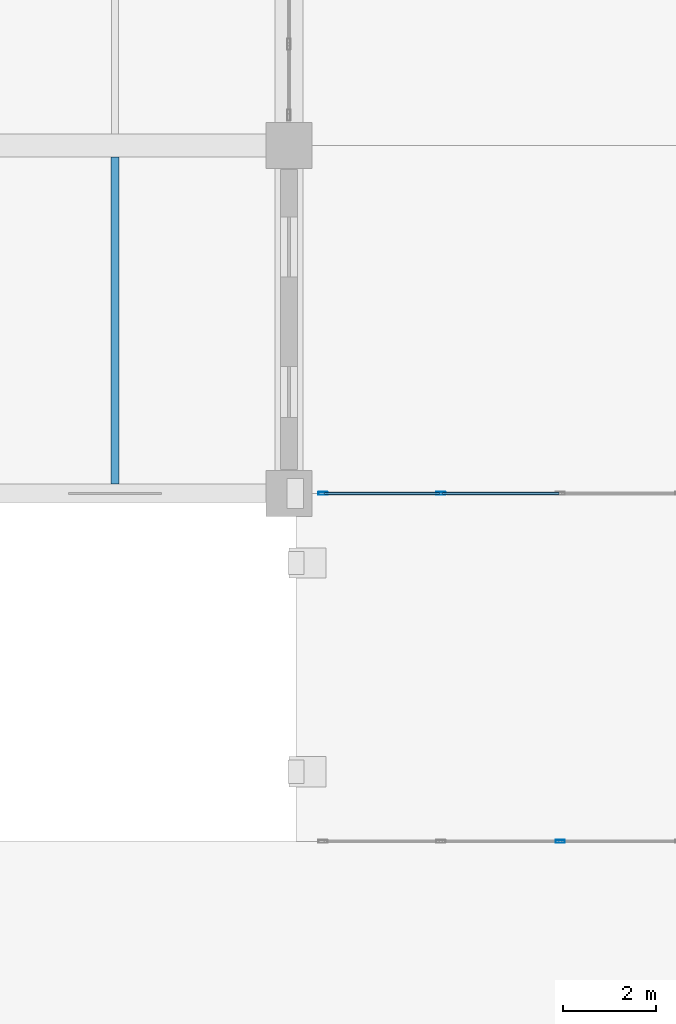
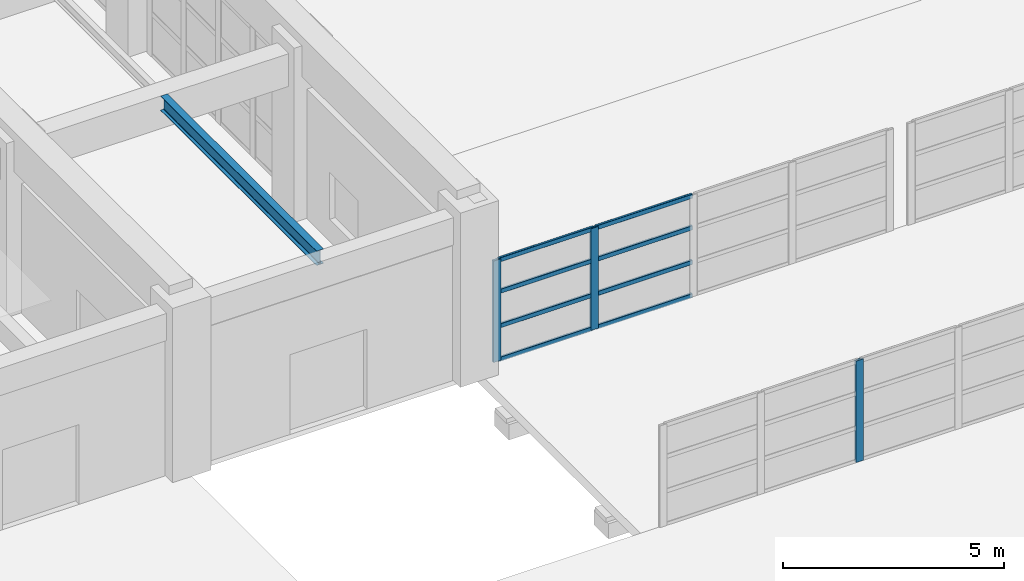
# One storey, part 25 of 122: 11 members, 1 beam, 2 elements without a shape of their own.
"""IFC4 building model written with IfcOpenShell, lengths in metres."""

from ifc_helpers import new_model, si_unit, direction, frame, origin, origin_2d, place, context, subcontext, project, spatial, hollow_rectangle, i_section, extrude, material, material_profile, profile_set, type_object, element, aggregate, save


model = new_model("IFC4")

# Units and contexts
model_context = context("Model", 3, precision=1e-05, world=origin(), true_north=direction((0.0, 1.0)))
body_context = subcontext(model_context, "Body", "Model", "MODEL_VIEW")
ifc_project = project(units=[si_unit("LENGTHUNIT", "METRE"), si_unit("AREAUNIT", "SQUARE_METRE"), si_unit("VOLUMEUNIT", "CUBIC_METRE"), si_unit("PLANEANGLEUNIT", "RADIAN"), si_unit("MASSUNIT", "GRAM", prefix="KILO")], contexts=[model_context])

# Site, building, storey
site_placement = place(None, origin())
site = spatial("IfcSite", under=ifc_project, at=site_placement, CompositionType="ELEMENT")
building_placement = place(site_placement, origin())
building = spatial("IfcBuilding", under=site, at=building_placement, Name="Qasida Concert Hall", CompositionType="ELEMENT")
storey_placement = place(building_placement, origin())
storey = spatial("IfcBuildingStorey", under=building, at=storey_placement, Name="L00", CompositionType="ELEMENT", Elevation=0.0)

# Beam
ifc_material_1 = material(Name="Steel S355J2", Category="steel")
ifc_material_profile_1 = material_profile(ifc_material_1, i_section(OverallWidth=0.179931640625, OverallDepth=0.39990234375, WebThickness=0.008544921875, FlangeThickness=0.013427734375, FilletRadius=0.02099609375, at=origin_2d()), Name="IPE 400")
ifc_profile_set_1 = profile_set([ifc_material_profile_1], Name="Steel S355J2")
beam_type = type_object("IfcBeamType", Name="BM-J3", PredefinedType="JOIST", material=ifc_profile_set_1)
beam_placement = place(storey_placement, frame((101.25, 22.699951171875, 4.300048828125), z_axis=(0.0, 1.0, 0.0), x_axis=(-1.0, 0.0, 0.0)))
element("IfcBeam", 1, at=beam_placement, inside=storey, type_object=beam_type, Name="L00 secondary joist 0458", PredefinedType="JOIST", context=body_context, shape_type="SweptSolid", body=[
    extrude(i_section(OverallWidth=0.179931640625, OverallDepth=0.39990234375, WebThickness=0.008544921875, FlangeThickness=0.013427734375, FilletRadius=0.02099609375, at=origin_2d()), origin(), (0.0, 0.0, 1.0), 7.050048828125),
])

# Curtain wall, member
ifc_material_2 = material(Name="Architectural bronze-anodized aluminium and low-E glass", Category="aluminium")
curtain_wall_type = type_object("IfcCurtainWallType", Name="CW-07", PredefinedType="NOTDEFINED", material=ifc_material_2)
curtain_wall_1_placement = place(storey_placement, origin())
curtain_wall_1 = element("IfcCurtainWall", 2, at=curtain_wall_1_placement, inside=storey, type_object=curtain_wall_type, Name="L00 link bridge glazing 0230", PredefinedType="NOTDEFINED")
ifc_material_3 = material(Name="Architectural bronze-anodized aluminium EN AW-6063", Category="aluminium")
ifc_material_profile_2 = material_profile(ifc_material_3, hollow_rectangle(XDim=0.06494140625, YDim=0.199951171875, WallThickness=0.0048828125, InnerFilletRadius=0.0048828125, OuterFilletRadius=0.010009765625, at=origin_2d()), Name="CWM 200x65x5")
ifc_profile_set_2 = profile_set([ifc_material_profile_2], Name="Architectural bronze-anodized aluminium EN AW-6063")
member_type_1 = type_object("IfcMemberType", Name="MB-CWM-2", PredefinedType="MULLION", material=ifc_profile_set_2)
member_1_placement = place(storey_placement, frame((110.85009765625, 15.0, 0.0), z_axis=(0.0, 0.0, 1.0), x_axis=(0.0, 1.0, 0.0)))
member_1 = element("IfcMember", 3, at=member_1_placement, type_object=member_type_1, Name="CW-07 mullion 3", PredefinedType="MULLION", context=body_context, shape_type="SweptSolid", body=[
    extrude(hollow_rectangle(XDim=0.06494140625, YDim=0.199951171875, WallThickness=0.0048828125, InnerFilletRadius=0.0048828125, OuterFilletRadius=0.010009765625, at=origin_2d()), origin(), (0.0, 0.0, 1.0), 2.800048828125),
])
aggregate(curtain_wall_1, [member_1])

# Curtain wall, members
curtain_wall_2_placement = place(storey_placement, origin())
curtain_wall_2 = element("IfcCurtainWall", 4, at=curtain_wall_2_placement, inside=storey, type_object=curtain_wall_type, Name="L00 link bridge glazing 0231", PredefinedType="NOTDEFINED")
member_2_placement = place(storey_placement, frame((105.732421875, 22.5, 0.0), z_axis=(0.0, 0.0, 1.0), x_axis=(0.0, 1.0, 0.0)))
member_2 = element("IfcMember", 5, at=member_2_placement, type_object=member_type_1, Name="CW-07 mullion 1", PredefinedType="MULLION", context=body_context, shape_type="SweptSolid", body=[
    extrude(hollow_rectangle(XDim=0.06494140625, YDim=0.199951171875, WallThickness=0.0048828125, InnerFilletRadius=0.0048828125, OuterFilletRadius=0.010009765625, at=origin_2d()), origin(), (0.0, 0.0, 1.0), 2.800048828125),
])
member_3_placement = place(storey_placement, frame((108.27490234375, 22.5, 0.0), z_axis=(0.0, 0.0, 1.0), x_axis=(0.0, 1.0, 0.0)))
member_3 = element("IfcMember", 6, at=member_3_placement, type_object=member_type_1, Name="CW-07 mullion 2", PredefinedType="MULLION", context=body_context, shape_type="SweptSolid", body=[
    extrude(hollow_rectangle(XDim=0.06494140625, YDim=0.199951171875, WallThickness=0.0048828125, InnerFilletRadius=0.0048828125, OuterFilletRadius=0.010009765625, at=origin_2d()), origin(), (0.0, 0.0, 1.0), 2.800048828125),
])
ifc_material_profile_3 = material_profile(ifc_material_3, hollow_rectangle(XDim=0.06005859375, YDim=0.1201171875, WallThickness=0.00390625, InnerFilletRadius=0.00390625, OuterFilletRadius=0.008056640625, at=origin_2d()), Name="CWT 120x60x4")
ifc_profile_set_3 = profile_set([ifc_material_profile_3], Name="Architectural bronze-anodized aluminium EN AW-6063")
member_type_2 = type_object("IfcMemberType", Name="MB-CWT-2", PredefinedType="USERDEFINED", material=ifc_profile_set_3)
member_4_placement = place(storey_placement, frame((105.764892578125, 22.5, 0.030029296875), z_axis=(1.0, 0.0, 0.0), x_axis=(0.0, 1.0, 0.0)))
member_4 = element("IfcMember", 7, at=member_4_placement, type_object=member_type_2, Name="CW-07 transom 1.1", ObjectType="TRANSOM", PredefinedType="USERDEFINED", context=body_context, shape_type="SweptSolid", body=[
    extrude(hollow_rectangle(XDim=0.06005859375, YDim=0.1201171875, WallThickness=0.00390625, InnerFilletRadius=0.00390625, OuterFilletRadius=0.008056640625, at=origin_2d()), origin(), (0.0, 0.0, 1.0), 2.4775390625),
])
member_5_placement = place(storey_placement, frame((105.764892578125, 22.5, 0.949951171875), z_axis=(1.0, 0.0, 0.0), x_axis=(0.0, 1.0, 0.0)))
member_5 = element("IfcMember", 8, at=member_5_placement, type_object=member_type_2, Name="CW-07 transom 1.2", ObjectType="TRANSOM", PredefinedType="USERDEFINED", context=body_context, shape_type="SweptSolid", body=[
    extrude(hollow_rectangle(XDim=0.06005859375, YDim=0.1201171875, WallThickness=0.00390625, InnerFilletRadius=0.00390625, OuterFilletRadius=0.008056640625, at=origin_2d()), origin(), (0.0, 0.0, 1.0), 2.4775390625),
])
member_6_placement = place(storey_placement, frame((105.764892578125, 22.5, 1.89990234375), z_axis=(1.0, 0.0, 0.0), x_axis=(0.0, 1.0, 0.0)))
member_6 = element("IfcMember", 9, at=member_6_placement, type_object=member_type_2, Name="CW-07 transom 1.3", ObjectType="TRANSOM", PredefinedType="USERDEFINED", context=body_context, shape_type="SweptSolid", body=[
    extrude(hollow_rectangle(XDim=0.06005859375, YDim=0.1201171875, WallThickness=0.00390625, InnerFilletRadius=0.00390625, OuterFilletRadius=0.008056640625, at=origin_2d()), origin(), (0.0, 0.0, 1.0), 2.4775390625),
])
member_7_placement = place(storey_placement, frame((105.764892578125, 22.5, 2.77001953125), z_axis=(1.0, 0.0, 0.0), x_axis=(0.0, 1.0, 0.0)))
member_7 = element("IfcMember", 10, at=member_7_placement, type_object=member_type_2, Name="CW-07 transom 1.4", ObjectType="TRANSOM", PredefinedType="USERDEFINED", context=body_context, shape_type="SweptSolid", body=[
    extrude(hollow_rectangle(XDim=0.06005859375, YDim=0.1201171875, WallThickness=0.00390625, InnerFilletRadius=0.00390625, OuterFilletRadius=0.008056640625, at=origin_2d()), origin(), (0.0, 0.0, 1.0), 2.4775390625),
])
member_8_placement = place(storey_placement, frame((108.3076171875, 22.5, 0.030029296875), z_axis=(1.0, 0.0, 0.0), x_axis=(0.0, 1.0, 0.0)))
member_8 = element("IfcMember", 11, at=member_8_placement, type_object=member_type_2, Name="CW-07 transom 2.1", ObjectType="TRANSOM", PredefinedType="USERDEFINED", context=body_context, shape_type="SweptSolid", body=[
    extrude(hollow_rectangle(XDim=0.06005859375, YDim=0.1201171875, WallThickness=0.00390625, InnerFilletRadius=0.00390625, OuterFilletRadius=0.008056640625, at=origin_2d()), origin(), (0.0, 0.0, 1.0), 2.509765625),
])
member_9_placement = place(storey_placement, frame((108.3076171875, 22.5, 0.949951171875), z_axis=(1.0, 0.0, 0.0), x_axis=(0.0, 1.0, 0.0)))
member_9 = element("IfcMember", 12, at=member_9_placement, type_object=member_type_2, Name="CW-07 transom 2.2", ObjectType="TRANSOM", PredefinedType="USERDEFINED", context=body_context, shape_type="SweptSolid", body=[
    extrude(hollow_rectangle(XDim=0.06005859375, YDim=0.1201171875, WallThickness=0.00390625, InnerFilletRadius=0.00390625, OuterFilletRadius=0.008056640625, at=origin_2d()), origin(), (0.0, 0.0, 1.0), 2.509765625),
])
member_10_placement = place(storey_placement, frame((108.3076171875, 22.5, 1.89990234375), z_axis=(1.0, 0.0, 0.0), x_axis=(0.0, 1.0, 0.0)))
member_10 = element("IfcMember", 13, at=member_10_placement, type_object=member_type_2, Name="CW-07 transom 2.3", ObjectType="TRANSOM", PredefinedType="USERDEFINED", context=body_context, shape_type="SweptSolid", body=[
    extrude(hollow_rectangle(XDim=0.06005859375, YDim=0.1201171875, WallThickness=0.00390625, InnerFilletRadius=0.00390625, OuterFilletRadius=0.008056640625, at=origin_2d()), origin(), (0.0, 0.0, 1.0), 2.509765625),
])
member_11_placement = place(storey_placement, frame((108.3076171875, 22.5, 2.77001953125), z_axis=(1.0, 0.0, 0.0), x_axis=(0.0, 1.0, 0.0)))
member_11 = element("IfcMember", 14, at=member_11_placement, type_object=member_type_2, Name="CW-07 transom 2.4", ObjectType="TRANSOM", PredefinedType="USERDEFINED", context=body_context, shape_type="SweptSolid", body=[
    extrude(hollow_rectangle(XDim=0.06005859375, YDim=0.1201171875, WallThickness=0.00390625, InnerFilletRadius=0.00390625, OuterFilletRadius=0.008056640625, at=origin_2d()), origin(), (0.0, 0.0, 1.0), 2.509765625),
])
aggregate(curtain_wall_2, [member_2, member_3, member_4, member_5, member_6, member_7, member_8, member_9, member_10, member_11])

save(model, "model.ifc")
